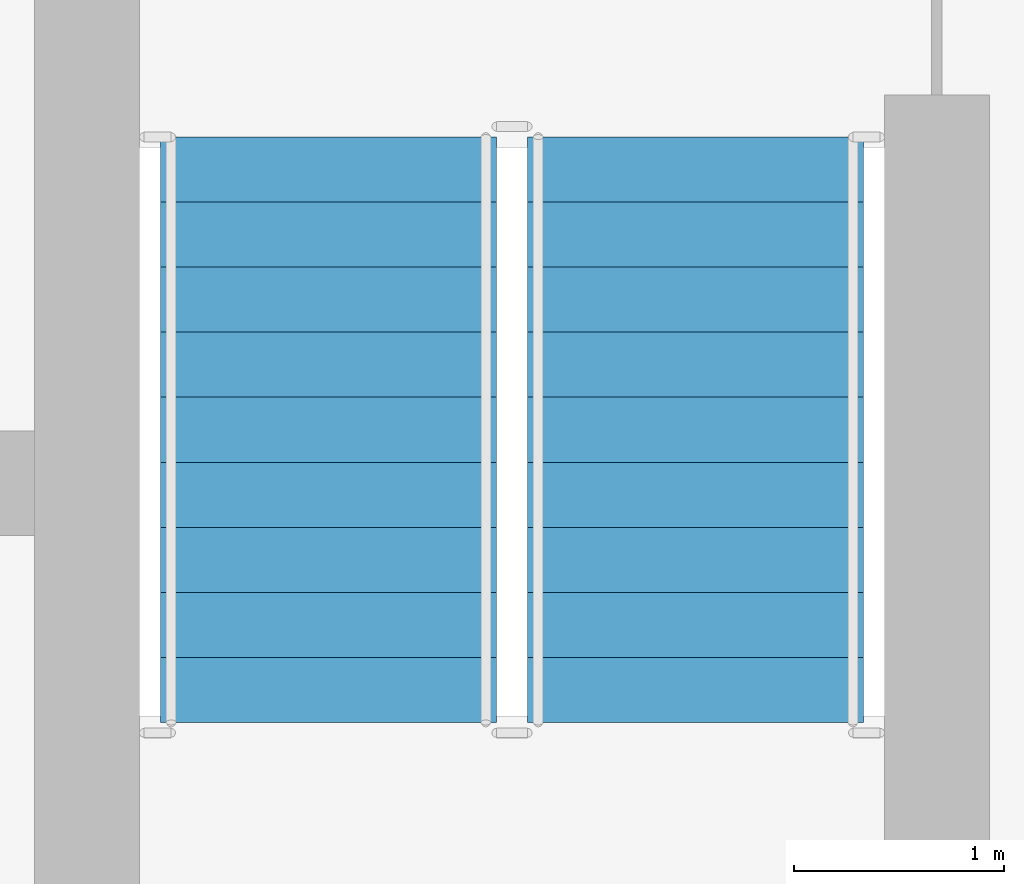
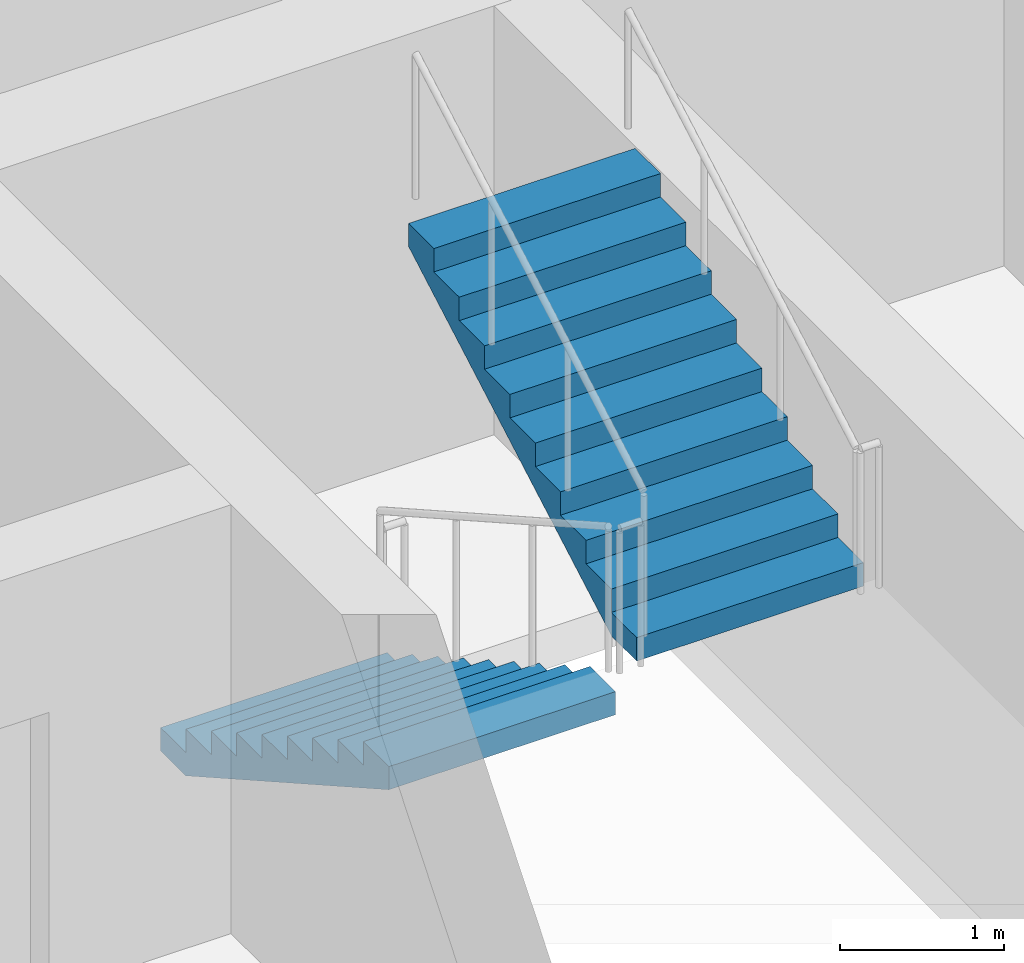
# One storey, part 16 of 22: 2 stair flights, 1 element without a shape of its own.
"""IFC4 building model written with IfcOpenShell, lengths in metres."""

from ifc_helpers import new_model, si_unit, direction, frame, origin, place, context, subcontext, project, spatial, polyline, outline, extrude, material, type_object, element, aggregate, save


model = new_model("IFC4")

# Units and contexts
model_context = context("Model", 3, precision=1e-05, world=origin(), true_north=direction((0.0, 1.0)))
body_context = subcontext(model_context, "Body", "Model", "MODEL_VIEW")
ifc_project = project(units=[si_unit("LENGTHUNIT", "METRE"), si_unit("AREAUNIT", "SQUARE_METRE"), si_unit("VOLUMEUNIT", "CUBIC_METRE"), si_unit("PLANEANGLEUNIT", "RADIAN"), si_unit("MASSUNIT", "GRAM", prefix="KILO")], contexts=[model_context])

# Site, building, storey
site_placement = place(None, origin())
site = spatial("IfcSite", under=ifc_project, at=site_placement, CompositionType="ELEMENT")
building_placement = place(site_placement, origin())
building = spatial("IfcBuilding", under=site, at=building_placement, Name="Madar Terraces", CompositionType="ELEMENT")
storey_placement = place(building_placement, frame((0.0, 0.0, 189.39990234375)))
storey = spatial("IfcBuildingStorey", under=building, at=storey_placement, Name="L49", CompositionType="ELEMENT", Elevation=189.39990234375)

# Stair, stair flights
ifc_material_1 = material(Name="Concrete C50/60", Category="concrete")
stair_type = type_object("IfcStairType", Name="Stair ST2 protected exit", PredefinedType="HALF_TURN_STAIR", material=ifc_material_1)
stair_placement = place(storey_placement, origin())
stair = element("IfcStair", 1, at=stair_placement, inside=storey, type_object=stair_type, Name="L49 Protected Exit Stair ST2", PredefinedType="HALF_TURN_STAIR")
ifc_material_2 = material(Name="Concrete C50/60", Category="concrete")
stair_flight_type = type_object("IfcStairFlightType", Name="Stair flight ST2-F4, 1600 wide, 10 risers", PredefinedType="STRAIGHT", material=ifc_material_2)
stair_flight_1_placement = place(storey_placement, frame((40.449951171875, 35.199951171875, 0.0), z_axis=(0.0, 0.0, 1.0), x_axis=(0.0, -1.0, 0.0)))
stair_flight_1 = element("IfcStairFlight", 2, at=stair_flight_1_placement, type_object=stair_flight_type, Name="ST2 flight 1", NumberOfRisers=10, NumberOfTreads=9, PredefinedType="STRAIGHT", RiserHeight=0.175, TreadLength=0.31, context=body_context, shape_type="SweptSolid", body=[
    extrude(outline(polyline([(0.0, 0.0), (0.0, 0.175048828125), (0.31005859375, 0.175048828125), (0.31005859375, 0.35009765625), (0.6201171875, 0.35009765625), (0.6201171875, 0.52490234375), (0.929931640625, 0.52490234375), (0.929931640625, 0.699951171875), (1.239990234375, 0.699951171875), (1.239990234375, 0.875), (1.550048828125, 0.875), (1.550048828125, 1.050048828125), (1.860107421875, 1.050048828125), (1.860107421875, 1.22509765625), (2.169921875, 1.22509765625), (2.169921875, 1.39990234375), (2.47998046875, 1.39990234375), (2.47998046875, 1.574951171875), (2.7900390625, 1.574951171875), (2.7900390625, 1.75), (2.7900390625, 1.40283203125), (0.304931640625, 0.0), (0.0, 0.0)])), frame((0.0, 0.800048828125, 0.0), z_axis=(0.0, -1.0, 0.0), x_axis=(1.0, 0.0, 0.0)), (0.0, 0.0, 1.0), 1.60009765625),
])
stair_flight_2_placement = place(storey_placement, frame((42.199951171875, 32.409912109375, 1.75), z_axis=(0.0, 0.0, 1.0), x_axis=(0.0, 1.0, 0.0)))
stair_flight_2 = element("IfcStairFlight", 3, at=stair_flight_2_placement, type_object=stair_flight_type, Name="ST2 flight 2", NumberOfRisers=10, NumberOfTreads=9, PredefinedType="STRAIGHT", RiserHeight=0.175, TreadLength=0.31, context=body_context, shape_type="SweptSolid", body=[
    extrude(outline(polyline([(0.0, 0.0), (0.0, 0.175048828125), (0.31005859375, 0.175048828125), (0.31005859375, 0.35009765625), (0.6201171875, 0.35009765625), (0.6201171875, 0.52490234375), (0.929931640625, 0.52490234375), (0.929931640625, 0.699951171875), (1.239990234375, 0.699951171875), (1.239990234375, 0.875), (1.550048828125, 0.875), (1.550048828125, 1.050048828125), (1.860107421875, 1.050048828125), (1.860107421875, 1.22509765625), (2.169921875, 1.22509765625), (2.169921875, 1.39990234375), (2.47998046875, 1.39990234375), (2.47998046875, 1.574951171875), (2.7900390625, 1.574951171875), (2.7900390625, 1.75), (2.7900390625, 1.40283203125), (0.304931640625, 0.0), (0.0, 0.0)])), frame((0.0, 0.800048828125, 0.0), z_axis=(0.0, -1.0, 0.0), x_axis=(1.0, 0.0, 0.0)), (0.0, 0.0, 1.0), 1.60009765625),
])
aggregate(stair, [stair_flight_1, stair_flight_2])

save(model, "model.ifc")
